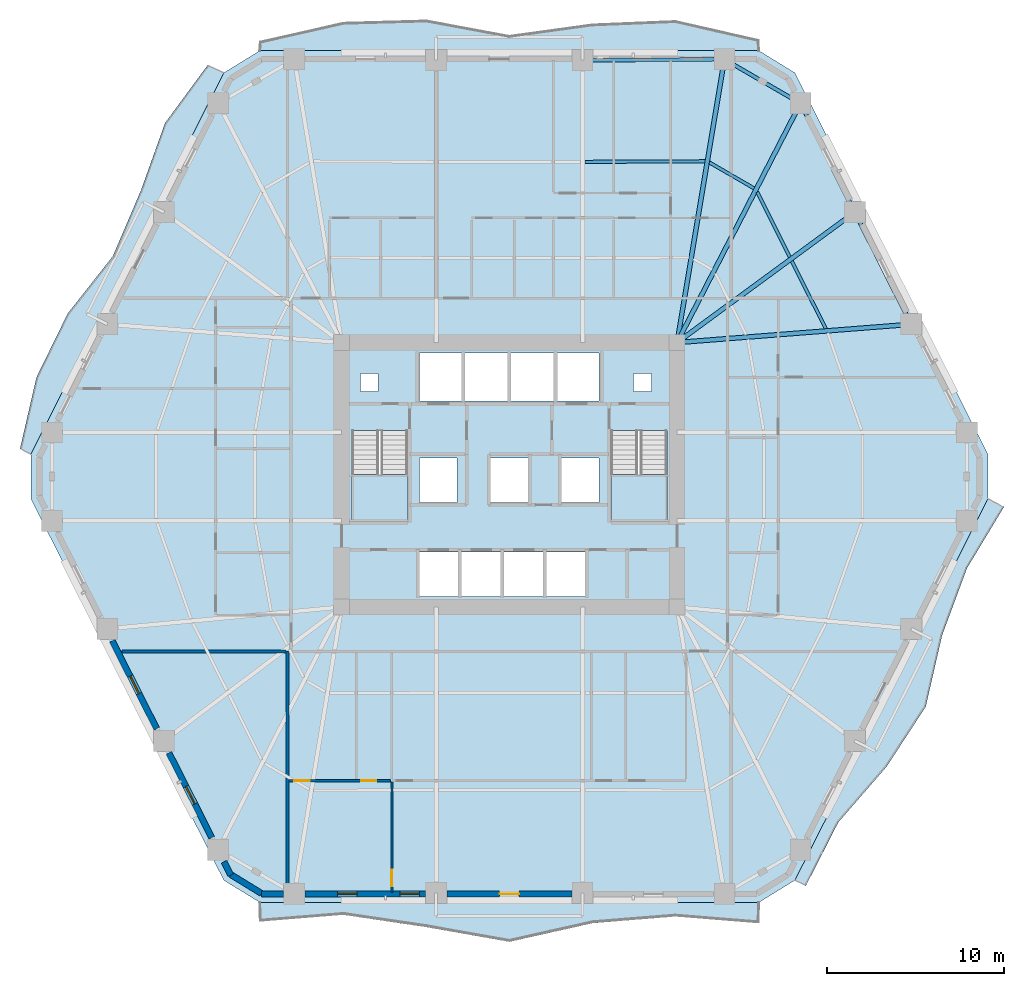
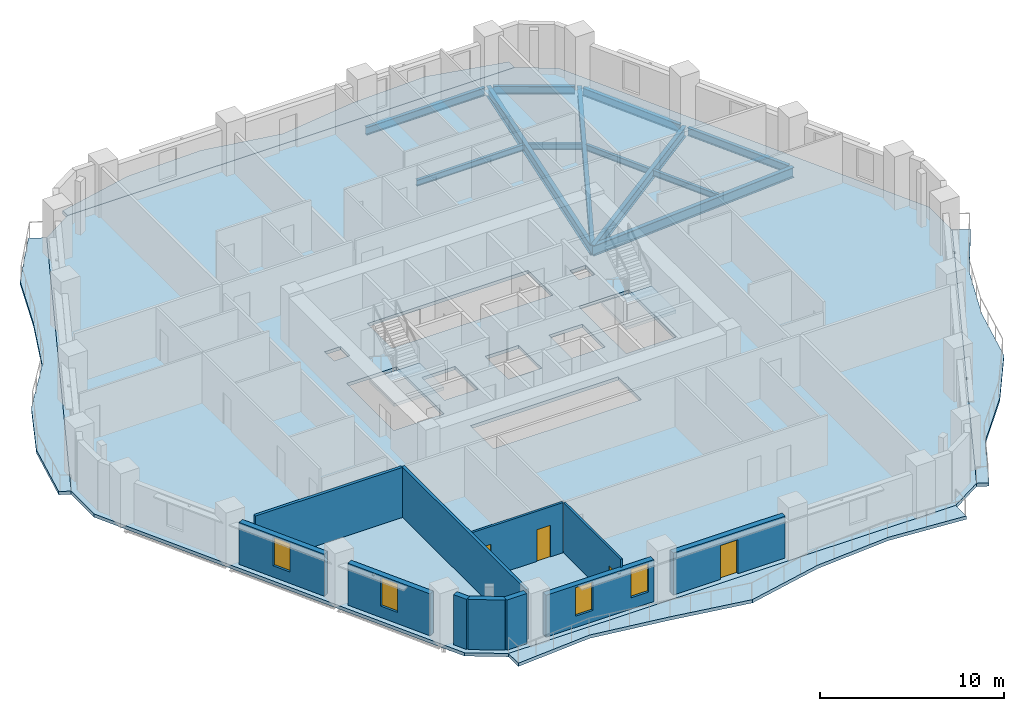
# One storey, part 3 of 13: 12 beams, 11 walls, 7 slabs, 4 doors, 4 windows, 8 openings, 2 elements without a shape of their own.
"""IFC4 building model written with IfcOpenShell, lengths in metres."""

from ifc_helpers import new_model, si_unit, direction, frame, frame_2d, origin, origin_2d, place, context, subcontext, project, spatial, polyline, rectangle, i_section, outline, extrude, material, layer, layer_set, material_profile, profile_set, type_object, element, fill, aggregate, save


model = new_model("IFC4")

# Units and contexts
model_context = context("Model", 3, precision=1e-05, world=origin(), true_north=direction((0.0, 1.0)))
body_context = subcontext(model_context, "Body", "Model", "MODEL_VIEW")
ifc_project = project(units=[si_unit("LENGTHUNIT", "METRE"), si_unit("AREAUNIT", "SQUARE_METRE"), si_unit("VOLUMEUNIT", "CUBIC_METRE"), si_unit("PLANEANGLEUNIT", "RADIAN"), si_unit("MASSUNIT", "GRAM", prefix="KILO")], contexts=[model_context])

# Site, building, storey
site_placement = place(None, origin())
site = spatial("IfcSite", under=ifc_project, at=site_placement, CompositionType="ELEMENT")
building_placement = place(site_placement, origin())
building = spatial("IfcBuilding", under=site, at=building_placement, Name="Cinnabar Lancet Tower", CompositionType="ELEMENT")
storey_placement = place(building_placement, frame((0.0, 0.0, 49.75)))
storey = spatial("IfcBuildingStorey", under=building, at=storey_placement, Name="L12", CompositionType="ELEMENT", Elevation=49.75)

# Beams
ifc_material_1 = material(Name="Structural steel S355", Category="steel")
ifc_material_profile_1 = material_profile(ifc_material_1, i_section(OverallWidth=0.177978515625, OverallDepth=0.406494140625, WebThickness=0.0078125, FlangeThickness=0.0126953125, FilletRadius=0.01025390625, at=origin_2d()), Name="UKB 406x178x60")
ifc_profile_set_1 = profile_set([ifc_material_profile_1], Name="Structural steel S355")
beam_type_1 = type_object("IfcBeamType", Name="STR-BM-JST-406", PredefinedType="JOIST", material=ifc_profile_set_1)
beam_1_placement = place(storey_placement, frame((50.23388671875, 34.132080078125, -0.423095703125), z_axis=(-0.450856172856, 0.8925966118, 0.0), x_axis=(-0.8925966118, -0.450856172856, 0.0)))
element("IfcBeam", 1, at=beam_1_placement, inside=storey, type_object=beam_type_1, Name="L12 Secondary Floor Joist 27", PredefinedType="JOIST", context=body_context, shape_type="SweptSolid", body=[
    extrude(i_section(OverallWidth=0.177978515625, OverallDepth=0.406494140625, WebThickness=0.0078125, FlangeThickness=0.0126953125, FilletRadius=0.01025390625, at=origin_2d()), origin(), (0.0, 0.0, 1.0), 4.25830078125),
])
beam_2_placement = place(storey_placement, frame((48.197998046875, 38.1630859375, -0.423095703125), z_axis=(-0.445641523434, 0.895211501597, 0.0), x_axis=(-0.895211501597, -0.445641523434, 0.0)))
element("IfcBeam", 2, at=beam_2_placement, inside=storey, type_object=beam_type_1, Name="L12 Secondary Floor Joist 29", PredefinedType="JOIST", context=body_context, shape_type="SweptSolid", body=[
    extrude(i_section(OverallWidth=0.177978515625, OverallDepth=0.406494140625, WebThickness=0.0078125, FlangeThickness=0.0126953125, FilletRadius=0.01025390625, at=origin_2d()), origin(), (0.0, 0.0, 1.0), 4.1015625),
])
beam_3_placement = place(storey_placement, frame((46.18994140625, 42.0390625, -0.423095703125), z_axis=(-0.865209684948, 0.501410212373, 0.0), x_axis=(-0.501410212373, -0.865209684948, 0.0)))
element("IfcBeam", 3, at=beam_3_placement, inside=storey, type_object=beam_type_1, Name="L12 Secondary Floor Joist 31", PredefinedType="JOIST", context=body_context, shape_type="SweptSolid", body=[
    extrude(i_section(OverallWidth=0.177978515625, OverallDepth=0.406494140625, WebThickness=0.0078125, FlangeThickness=0.0126953125, FilletRadius=0.01025390625, at=origin_2d()), origin(), (0.0, 0.0, 1.0), 2.90771484375),
])
beam_4_placement = place(storey_placement, frame((43.427978515625, 43.56396484375, -0.423095703125), z_axis=(-0.999988871223, -0.004717778015, 0.0), x_axis=(0.004717778015, -0.999988871223, 0.0)))
element("IfcBeam", 4, at=beam_4_placement, inside=storey, type_object=beam_type_1, Name="L12 Secondary Floor Joist 33", PredefinedType="JOIST", context=body_context, shape_type="SweptSolid", body=[
    extrude(i_section(OverallWidth=0.177978515625, OverallDepth=0.406494140625, WebThickness=0.0078125, FlangeThickness=0.0126953125, FilletRadius=0.01025390625, at=origin_2d()), origin(), (0.0, 0.0, 1.0), 6.779052734375),
])
ifc_material_2 = material(Name="Structural steel S355", Category="steel")
ifc_material_profile_2 = material_profile(ifc_material_2, i_section(OverallWidth=0.209228515625, OverallDepth=0.533203125, WebThickness=0.010009765625, FlangeThickness=0.015625, FilletRadius=0.0126953125, at=origin_2d()), Name="UKB 533x210x92")
ifc_profile_set_2 = profile_set([ifc_material_profile_2], Name="Structural steel S355")
beam_type_2 = type_object("IfcBeamType", Name="STR-BM-SPN-533", PredefinedType="SPANDREL", material=ifc_profile_set_2)
beam_5_placement = place(storey_placement, frame((54.93310546875, 34.60302734375, -0.487060546875), z_axis=(-0.450703143926, 0.892673891214, 0.0), x_axis=(-0.892673891214, -0.450703143926, 0.0)))
element("IfcBeam", 5, at=beam_5_placement, inside=storey, type_object=beam_type_2, Name="L12 Perimeter Spandrel 10", PredefinedType="SPANDREL", context=body_context, shape_type="SweptSolid", body=[
    extrude(i_section(OverallWidth=0.209228515625, OverallDepth=0.533203125, WebThickness=0.010009765625, FlangeThickness=0.015625, FilletRadius=0.0126953125, at=origin_2d()), origin(), (0.0, 0.0, 1.0), 6.570068359375),
])
beam_6_placement = place(storey_placement, frame((51.748046875, 40.9150390625, -0.487060546875), z_axis=(-0.445953050023, 0.89505635419, 0.0), x_axis=(-0.89505635419, -0.445953050023, 0.0)))
element("IfcBeam", 6, at=beam_6_placement, inside=storey, type_object=beam_type_2, Name="L12 Perimeter Spandrel 11", PredefinedType="SPANDREL", context=body_context, shape_type="SweptSolid", body=[
    extrude(i_section(OverallWidth=0.209228515625, OverallDepth=0.533203125, WebThickness=0.010009765625, FlangeThickness=0.015625, FilletRadius=0.0126953125, at=origin_2d()), origin(), (0.0, 0.0, 1.0), 6.35498046875),
])
beam_7_placement = place(storey_placement, frame((48.5869140625, 46.951904296875, -0.487060546875), z_axis=(-0.865147238596, 0.501517951374, 0.0), x_axis=(-0.501517951374, -0.865147238596, 0.0)))
element("IfcBeam", 7, at=beam_7_placement, inside=storey, type_object=beam_type_2, Name="L12 Perimeter Spandrel 12", PredefinedType="SPANDREL", context=body_context, shape_type="SweptSolid", body=[
    extrude(i_section(OverallWidth=0.209228515625, OverallDepth=0.533203125, WebThickness=0.010009765625, FlangeThickness=0.015625, FilletRadius=0.0126953125, at=origin_2d()), origin(), (0.0, 0.0, 1.0), 4.454833984375),
])
beam_8_placement = place(storey_placement, frame((44.26708984375, 49.30908203125, -0.487060546875), z_axis=(-0.99997856757, -0.006547090947, 0.0), x_axis=(0.006547090947, -0.99997856757, 0.0)))
element("IfcBeam", 8, at=beam_8_placement, inside=storey, type_object=beam_type_2, Name="L12 Perimeter Spandrel 13", PredefinedType="SPANDREL", context=body_context, shape_type="SweptSolid", body=[
    extrude(i_section(OverallWidth=0.209228515625, OverallDepth=0.533203125, WebThickness=0.010009765625, FlangeThickness=0.015625, FilletRadius=0.0126953125, at=origin_2d()), origin(), (0.0, 0.0, 1.0), 7.495361328125),
])
ifc_material_3 = material(Name="Structural steel S355", Category="steel")
ifc_material_profile_3 = material_profile(ifc_material_3, i_section(OverallWidth=0.253662109375, OverallDepth=0.68359375, WebThickness=0.012451171875, FlangeThickness=0.01904296875, FilletRadius=0.01513671875, at=origin_2d()), Name="UKB 686x254x140")
ifc_profile_set_3 = profile_set([ifc_material_profile_3], Name="Structural steel S355")
beam_type_3 = type_object("IfcBeamType", Name="STR-BM-UKB686-140", PredefinedType="BEAM", material=ifc_profile_set_3)
beam_9_placement = place(storey_placement, frame((51.85888671875, 40.69091796875, -0.56201171875), z_axis=(-0.80636497312, -0.591418236213, 0.0), x_axis=(0.591418236213, -0.80636497312, 0.0)))
element("IfcBeam", 9, at=beam_9_placement, inside=storey, type_object=beam_type_3, Name="L12 Corner Collector Girder 3", PredefinedType="BEAM", context=body_context, shape_type="SweptSolid", body=[
    extrude(i_section(OverallWidth=0.253662109375, OverallDepth=0.68359375, WebThickness=0.012451171875, FlangeThickness=0.01904296875, FilletRadius=0.01513671875, at=origin_2d()), origin(), (0.0, 0.0, 1.0), 12.412353515625),
])
beam_10_placement = place(storey_placement, frame((55.0458984375, 34.3798828125, -0.56201171875), z_axis=(-0.99696880683, -0.077802302076, 0.0), x_axis=(0.077802302076, -0.99696880683, 0.0)))
element("IfcBeam", 10, at=beam_10_placement, inside=storey, type_object=beam_type_3, Name="L12 Primary Floor Girder 10", PredefinedType="BEAM", context=body_context, shape_type="SweptSolid", body=[
    extrude(i_section(OverallWidth=0.253662109375, OverallDepth=0.68359375, WebThickness=0.012451171875, FlangeThickness=0.01904296875, FilletRadius=0.01513671875, at=origin_2d()), origin(), (0.0, 0.0, 1.0), 13.23583984375),
])
beam_11_placement = place(storey_placement, frame((48.802978515625, 46.826904296875, -0.56201171875), z_axis=(-0.458492410387, -0.888698323177, 0.0), x_axis=(0.888698323177, -0.458492410387, 0.0)))
element("IfcBeam", 11, at=beam_11_placement, inside=storey, type_object=beam_type_3, Name="L12 Primary Floor Girder 12", PredefinedType="BEAM", context=body_context, shape_type="SweptSolid", body=[
    extrude(i_section(OverallWidth=0.253662109375, OverallDepth=0.68359375, WebThickness=0.012451171875, FlangeThickness=0.01904296875, FilletRadius=0.01513671875, at=origin_2d()), origin(), (0.0, 0.0, 1.0), 15.16455078125),
])
beam_12_placement = place(storey_placement, frame((44.51708984375, 49.31103515625, -0.56201171875), z_axis=(-0.164809990854, -0.986325335229, 0.0), x_axis=(0.986325335229, -0.164809990854, 0.0)))
element("IfcBeam", 12, at=beam_12_placement, inside=storey, type_object=beam_type_3, Name="L12 Primary Floor Girder 13", PredefinedType="BEAM", context=body_context, shape_type="SweptSolid", body=[
    extrude(i_section(OverallWidth=0.253662109375, OverallDepth=0.68359375, WebThickness=0.012451171875, FlangeThickness=0.01904296875, FilletRadius=0.01513671875, at=origin_2d()), origin(), (0.0, 0.0, 1.0), 16.18212890625),
])

# Stair, slab
ifc_material_4 = material(Name="Concrete C40/50", Category="concrete")
stair_type = type_object("IfcStairType", Name="ST-CORE", PredefinedType="HALF_TURN_STAIR", material=ifc_material_4)
stair_1_placement = place(storey_placement, origin())
stair_1 = element("IfcStair", 13, at=stair_1_placement, inside=storey, type_object=stair_type, Name="L12 ST-1", PredefinedType="HALF_TURN_STAIR")
ifc_material_5 = material(Name="Concrete C40/50", Category="concrete")
ifc_layer_1 = layer(ifc_material_5, 0.199951171875)
ifc_layer_set_1 = layer_set([ifc_layer_1], Name="Concrete C40/50")
slab_type_1 = type_object("IfcSlabType", Name="LANDING-CORE", PredefinedType="LANDING", material=ifc_layer_set_1)
slab_1_placement = place(storey_placement, frame((0.0, 0.0, 1.574951171875)))
slab_1 = element("IfcSlab", 14, at=slab_1_placement, type_object=slab_type_1, Name="ST-1 landing 1", PredefinedType="LANDING", context=body_context, shape_type="SweptSolid", body=[
    extrude(outline(polyline([(23.52490234375, 25.925048828125), (23.52490234375, 23.25), (26.675048828125, 23.25), (26.675048828125, 25.925048828125), (23.52490234375, 25.925048828125)])), origin(), (0.0, 0.0, 1.0), 0.199951171875),
])
aggregate(stair_1, [slab_1])

stair_2_placement = place(storey_placement, origin())
stair_2 = element("IfcStair", 15, at=stair_2_placement, inside=storey, type_object=stair_type, Name="L12 ST-2", PredefinedType="HALF_TURN_STAIR")
slab_2_placement = place(storey_placement, frame((0.0, 0.0, 1.574951171875)))
slab_2 = element("IfcSlab", 16, at=slab_2_placement, type_object=slab_type_1, Name="ST-2 landing 1", PredefinedType="LANDING", context=body_context, shape_type="SweptSolid", body=[
    extrude(outline(polyline([(38.125, 25.925048828125), (38.125, 23.25), (41.27490234375, 23.25), (41.27490234375, 25.925048828125), (38.125, 25.925048828125)])), origin(), (0.0, 0.0, 1.0), 0.199951171875),
])
aggregate(stair_2, [slab_2])

# Slabs
ifc_material_6 = material(Name="Concrete C40/50", Category="concrete")
ifc_layer_2 = layer(ifc_material_6, 0.219970703125)
ifc_layer_set_2 = layer_set([ifc_layer_2], Name="Concrete C40/50")
slab_type_2 = type_object("IfcSlabType", Name="STR-SLB-FLR-220", PredefinedType="FLOOR", material=ifc_layer_set_2)
slab_3_placement = place(storey_placement, frame((0.0, 0.0, -0.219970703125)))
element("IfcSlab", 17, at=slab_3_placement, inside=storey, type_object=slab_type_2, Name="L12 Structural Floor Slab", PredefinedType="FLOOR", context=body_context, shape_type="SweptSolid", body=[
    extrude(outline(polyline([(16.31201171875, 3.049072265625), (18.343994140625, 1.800048828125), (46.4560546875, 1.800048828125), (48.488037109375, 3.049072265625), (59.367919921875, 24.551025390625), (59.367919921875, 27.049072265625), (48.488037109375, 48.551025390625), (46.4560546875, 49.800048828125), (18.343994140625, 49.800048828125), (16.31201171875, 48.551025390625), (5.431884765625, 27.049072265625), (5.431884765625, 24.551025390625), (16.31201171875, 3.049072265625)]), holes=[polyline([(23.52490234375, 23.25), (26.675048828125, 23.25), (26.675048828125, 28.3994140625), (23.52490234375, 28.3994140625), (23.52490234375, 23.25)]), polyline([(38.125, 23.25), (41.27490234375, 23.25), (41.27490234375, 28.3994140625), (38.125, 28.3994140625), (38.125, 23.25)]), polyline([(27.35009765625, 30.050048828125), (37.449951171875, 30.050048828125), (37.449951171875, 32.75), (27.35009765625, 32.75), (27.35009765625, 30.050048828125)]), polyline([(27.35009765625, 19.050048828125), (36.64990234375, 19.050048828125), (36.64990234375, 21.550048828125), (27.35009765625, 21.550048828125), (27.35009765625, 19.050048828125)]), polyline([(27.35009765625, 24.35009765625), (29.449951171875, 24.35009765625), (29.449951171875, 26.85009765625), (27.35009765625, 26.85009765625), (27.35009765625, 24.35009765625)]), polyline([(35.35009765625, 24.35009765625), (37.449951171875, 24.35009765625), (37.449951171875, 26.85009765625), (35.35009765625, 26.85009765625), (35.35009765625, 24.35009765625)]), polyline([(31.35009765625, 24.35009765625), (33.449951171875, 24.35009765625), (33.449951171875, 26.85009765625), (31.35009765625, 26.85009765625), (31.35009765625, 24.35009765625)]), polyline([(24.0, 30.60009765625), (25.0, 30.60009765625), (25.0, 31.60009765625), (24.0, 31.60009765625), (24.0, 30.60009765625)]), polyline([(39.39990234375, 30.60009765625), (40.39990234375, 30.60009765625), (40.39990234375, 31.60009765625), (39.39990234375, 31.60009765625), (39.39990234375, 30.60009765625)])]), origin(), (0.0, 0.0, 1.0), 0.219970703125),
])
ifc_material_7 = material(Name="Concrete C45/55", Category="concrete")
ifc_layer_3 = layer(ifc_material_7, 0.219970703125)
ifc_layer_set_3 = layer_set([ifc_layer_3], Name="Concrete C45/55")
slab_type_3 = type_object("IfcSlabType", Name="STR-SLB-WAV-220", PredefinedType="FLOOR", material=ifc_layer_set_3)
slab_4_placement = place(storey_placement, frame((0.0, 0.0, -0.219970703125)))
element("IfcSlab", 18, at=slab_4_placement, inside=storey, type_object=slab_type_3, Name="L12 Face 1 Undulating Wave Balcony Slab", PredefinedType="FLOOR", context=body_context, shape_type="SweptSolid", body=[
    extrude(outline(polyline([(18.343994140625, 1.800048828125), (18.343994140625, 0.73095703125), (23.029052734375, 1.10693359375), (27.715087890625, 0.412109375), (32.39990234375, -0.416015625), (37.0849609375, 0.634033203125), (41.77099609375, 1.010009765625), (46.4560546875, 0.637939453125), (46.4560546875, 1.800048828125), (18.343994140625, 1.800048828125)])), origin(), (0.0, 0.0, 1.0), 0.219970703125),
])
slab_5_placement = place(storey_placement, frame((0.0, 0.0, -0.219970703125)))
element("IfcSlab", 19, at=slab_5_placement, inside=storey, type_object=slab_type_3, Name="L12 Face 2 Undulating Wave Balcony Slab", PredefinedType="FLOOR", context=body_context, shape_type="SweptSolid", body=[
    extrude(outline(polyline([(48.488037109375, 3.049072265625), (49.10595703125, 2.736083984375), (50.931884765625, 6.31396484375), (53.64697265625, 9.44091796875), (55.85791015625, 12.823974609375), (56.782958984375, 16.85595703125), (58.18994140625, 20.64599609375), (60.27197265625, 24.093017578125), (59.367919921875, 24.551025390625), (48.488037109375, 3.049072265625)])), origin(), (0.0, 0.0, 1.0), 0.219970703125),
])
slab_6_placement = place(storey_placement, frame((0.0, 0.0, -0.219970703125)))
element("IfcSlab", 20, at=slab_6_placement, inside=storey, type_object=slab_type_3, Name="L12 Face 4 Undulating Wave Balcony Slab", PredefinedType="FLOOR", context=body_context, shape_type="SweptSolid", body=[
    extrude(outline(polyline([(46.4560546875, 49.800048828125), (46.4560546875, 50.424072265625), (41.77099609375, 51.491943359375), (37.0849609375, 51.303955078125), (32.39990234375, 50.660888671875), (27.715087890625, 51.52587890625), (23.029052734375, 51.39501953125), (18.343994140625, 50.330078125), (18.343994140625, 49.800048828125), (46.4560546875, 49.800048828125)])), origin(), (0.0, 0.0, 1.0), 0.219970703125),
])
slab_7_placement = place(storey_placement, frame((0.0, 0.0, -0.219970703125)))
element("IfcSlab", 21, at=slab_7_placement, inside=storey, type_object=slab_type_3, Name="L12 Face 5 Undulating Wave Balcony Slab", PredefinedType="FLOOR", context=body_context, shape_type="SweptSolid", body=[
    extrude(outline(polyline([(16.31201171875, 48.551025390625), (15.4189453125, 49.0029296875), (13.0009765625, 45.72509765625), (11.636962890625, 41.9140625), (10.055908203125, 38.212890625), (7.52001953125, 34.9951171875), (5.7529296875, 31.387939453125), (4.825927734375, 27.35595703125), (5.431884765625, 27.049072265625), (16.31201171875, 48.551025390625)])), origin(), (0.0, 0.0, 1.0), 0.219970703125),
])

# Walls
ifc_material_8 = material(Name="Fire-rated twin-frame acoustic drywall", Category="gypsum")
ifc_layer_4 = layer(ifc_material_8, 0.179931640625)
ifc_layer_set_4 = layer_set([ifc_layer_4], Name="Fire-rated twin-frame acoustic drywall")
wall_type_1 = type_object("IfcWallType", Name="ARC-WL-PARTY-180", PredefinedType="PARTITIONING", material=ifc_layer_set_4)
wall_1_placement = place(storey_placement, frame((19.89990234375, 2.455078125, 0.0), z_axis=(0.0, 0.0, 1.0), x_axis=(0.0, 1.0, 0.0)))
element("IfcWall", 22, at=wall_1_placement, inside=storey, type_object=wall_type_1, Name="PW-L12-SPTY-199", PredefinedType="PARTITIONING", context=body_context, shape_type="SweptSolid", body=[
    extrude(rectangle(XDim=13.494873046875, YDim=0.179931640625, at=frame_2d((6.74755859375, 0.0))), origin(), (0.0, 0.0, 1.0), 3.330078125),
])
wall_2_placement = place(storey_placement, frame((10.56396484375, 15.949951171875, 0.0), z_axis=(0.0, 0.0, 1.0), x_axis=(1.0, 0.0, 0.0)))
element("IfcWall", 23, at=wall_2_placement, inside=storey, type_object=wall_type_1, Name="PW-L12-WSB", PredefinedType="PARTITIONING", context=body_context, shape_type="SweptSolid", body=[
    extrude(rectangle(XDim=9.240966796875, YDim=0.179931640625, at=frame_2d((4.62060546875, 0.0))), origin(), (0.0, 0.0, 1.0), 3.330078125),
])

# Wall, opening, door
ifc_material_9 = material(Name="Gypsum plasterboard stud partition", Category="gypsum")
ifc_layer_5 = layer(ifc_material_9, 0.125)
ifc_layer_set_5 = layer_set([ifc_layer_5], Name="Gypsum plasterboard stud partition")
wall_type_2 = type_object("IfcWallType", Name="ARC-WL-UNIT-125", PredefinedType="PARTITIONING", material=ifc_layer_set_5)
wall_3_placement = place(storey_placement, frame((25.780029296875, 2.364990234375, 0.0), z_axis=(0.0, 0.0, 1.0), x_axis=(0.0, 1.0, 0.0)))
wall_3 = element("IfcWall", 24, at=wall_3_placement, inside=storey, type_object=wall_type_2, Name="UW-L12-S01-MBW", PredefinedType="PARTITIONING", context=body_context, shape_type="SweptSolid", body=[
    extrude(rectangle(XDim=6.222900390625, YDim=0.125, at=frame_2d((3.111328125, 0.0))), origin(), (0.0, 0.0, 1.0), 3.330078125),
])
opening_1_placement = place(wall_3_placement, frame((0.35009765625, 0.0, 0.0)))
opening_1 = element("IfcOpeningElement", 25, at=opening_1_placement, cuts=wall_3, Name="Opening RD-01", PredefinedType="OPENING", context=body_context, shape_type="SweptSolid", body=[
    extrude(rectangle(XDim=0.919921875, YDim=2.14990234375, at=frame_2d((0.4599609375, 1.074951171875))), frame((0.0, 0.072509765625, 0.0), z_axis=(0.0, -1.0, 0.0), x_axis=(1.0, 0.0, 0.0)), (0.0, 0.0, 1.0), 0.14501953125),
])
ifc_material_10 = material(Name="Engineered timber bedroom door", Category="wood")
door_type_1 = type_object("IfcDoorType", Name="ARC-DR-ROOM", OperationType="NOTDEFINED", PredefinedType="DOOR", material=ifc_material_10)
door_1_placement = place(opening_1_placement, origin())
door_1 = element("IfcDoor", 26, at=door_1_placement, inside=storey, type_object=door_type_1, Name="DR-L12-S01-MBD", OperationType="SINGLE_SWING_LEFT", OverallHeight=2.14990234375, OverallWidth=0.919921875, PredefinedType="DOOR", context=body_context, shape_type="SweptSolid", body=[
    extrude(rectangle(XDim=0.919921875, YDim=2.14990234375, at=frame_2d((0.4599609375, 1.074951171875))), frame((0.0, 0.02490234375, 0.0), z_axis=(0.0, -1.0, 0.0), x_axis=(1.0, 0.0, 0.0)), (0.0, 0.0, 1.0), 0.050048828125),
])
fill(opening_1, door_1)

# Wall, openings, doors
ifc_material_11 = material(Name="Moisture-resistant cement-board plumbing wall", Category="masonry")
ifc_layer_6 = layer(ifc_material_11, 0.139892578125)
ifc_layer_set_6 = layer_set([ifc_layer_6], Name="Moisture-resistant cement-board plumbing wall")
wall_type_3 = type_object("IfcWallType", Name="ARC-WL-WET-140", PredefinedType="PLUMBINGWALL", material=ifc_layer_set_6)
wall_4_placement = place(storey_placement, frame((19.9951171875, 8.6630859375, 0.0), z_axis=(0.0, 0.0, 1.0), x_axis=(1.0, 0.0, 0.0)))
wall_4 = element("IfcWall", 27, at=wall_4_placement, inside=storey, type_object=wall_type_3, Name="UW-L12-S01-SPM", PredefinedType="PLUMBINGWALL", context=body_context, shape_type="SweptSolid", body=[
    extrude(rectangle(XDim=5.7099609375, YDim=0.139892578125, at=frame_2d((2.85498046875, 0.0))), origin(), (0.0, 0.0, 1.0), 3.330078125),
])
opening_2_placement = place(wall_4_placement, frame((0.280029296875, 0.0, 0.0)))
opening_2 = element("IfcOpeningElement", 28, at=opening_2_placement, cuts=wall_4, Name="Opening RD-02", PredefinedType="OPENING", context=body_context, shape_type="SweptSolid", body=[
    extrude(rectangle(XDim=0.8798828125, YDim=2.14990234375, at=frame_2d((0.43994140625, 1.074951171875))), frame((0.0, 0.079833984375, 0.0), z_axis=(0.0, -1.0, 0.0), x_axis=(1.0, 0.0, 0.0)), (0.0, 0.0, 1.0), 0.159912109375),
])
opening_3_placement = place(wall_4_placement, frame((4.053955078125, 0.0, 0.0)))
opening_3 = element("IfcOpeningElement", 29, at=opening_3_placement, cuts=wall_4, Name="Opening BD-01", PredefinedType="OPENING", context=body_context, shape_type="SweptSolid", body=[
    extrude(rectangle(XDim=0.860107421875, YDim=2.10009765625, at=frame_2d((0.43017578125, 1.050048828125))), frame((0.0, 0.079833984375, 0.0), z_axis=(0.0, -1.0, 0.0), x_axis=(1.0, 0.0, 0.0)), (0.0, 0.0, 1.0), 0.159912109375),
])
ifc_material_12 = material(Name="Moisture-resistant timber bathroom door", Category="wood")
door_type_2 = type_object("IfcDoorType", Name="ARC-DR-BATH", OperationType="NOTDEFINED", PredefinedType="DOOR", material=ifc_material_12)
door_2_placement = place(opening_3_placement, origin())
door_2 = element("IfcDoor", 30, at=door_2_placement, inside=storey, type_object=door_type_2, Name="DR-L12-S01-ENS", OperationType="SINGLE_SWING_LEFT", OverallHeight=2.10009765625, OverallWidth=0.860107421875, PredefinedType="DOOR", context=body_context, shape_type="SweptSolid", body=[
    extrude(rectangle(XDim=0.860107421875, YDim=2.10009765625, at=frame_2d((0.43017578125, 1.050048828125))), frame((0.0, 0.02490234375, 0.0), z_axis=(0.0, -1.0, 0.0), x_axis=(1.0, 0.0, 0.0)), (0.0, 0.0, 1.0), 0.050048828125),
])
fill(opening_3, door_2)
ifc_material_13 = material(Name="Engineered timber study door", Category="wood")
door_type_3 = type_object("IfcDoorType", Name="ARC-DR-STUDY", OperationType="NOTDEFINED", PredefinedType="DOOR", material=ifc_material_13)
door_3_placement = place(opening_2_placement, origin())
door_3 = element("IfcDoor", 31, at=door_3_placement, inside=storey, type_object=door_type_3, Name="DR-L12-S01-ENS-WDR", OperationType="SINGLE_SWING_RIGHT", OverallHeight=2.14990234375, OverallWidth=0.8798828125, PredefinedType="DOOR", context=body_context, shape_type="SweptSolid", body=[
    extrude(rectangle(XDim=0.8798828125, YDim=2.14990234375, at=frame_2d((0.43994140625, 1.074951171875))), frame((0.0, 0.02490234375, 0.0), z_axis=(0.0, -1.0, 0.0), x_axis=(1.0, 0.0, 0.0)), (0.0, 0.0, 1.0), 0.050048828125),
])
fill(opening_2, door_3)

# Walls
ifc_material_14 = material(Name="Cinnabar red clay brick", Category="masonry")
ifc_layer_7 = layer(ifc_material_14, 0.340087890625)
ifc_layer_set_7 = layer_set([ifc_layer_7], Name="Cinnabar red clay brick")
wall_type_4 = type_object("IfcWallType", Name="ENV-WL-BRK-RED-340", PredefinedType="STANDARD", material=ifc_layer_set_7)
wall_5_placement = place(storey_placement, frame((16.719970703125, 3.362060546875, 0.0), z_axis=(0.0, 0.0, 1.0), x_axis=(0.851816122478, -0.523840904748, 0.0)))
element("IfcWall", 32, at=wall_5_placement, inside=storey, type_object=wall_type_4, Name="L12 Chamfered Corner Brick Pier 1.1", PredefinedType="STANDARD", context=body_context, shape_type="SweptSolid", body=[
    extrude(rectangle(XDim=2.01806640625, YDim=0.340087890625, at=frame_2d((1.009033203125, 0.0))), origin(), (0.0, 0.0, 1.0), 3.330078125),
])
wall_6_placement = place(storey_placement, frame((18.43408203125, 2.280029296875, 0.0), z_axis=(0.0, 0.0, 1.0), x_axis=(1.0, 0.0, 0.0)))
element("IfcWall", 33, at=wall_6_placement, inside=storey, type_object=wall_type_4, Name="L12 Face 1 Masonry Bay Wall 1", PredefinedType="STANDARD", context=body_context, shape_type="SweptSolid", body=[
    extrude(rectangle(XDim=1.244873046875, YDim=0.340087890625, at=frame_2d((0.62255859375, 0.0))), origin(), (0.0, 0.0, 1.0), 3.330078125),
])

# Wall, openings, windows
wall_7_placement = place(storey_placement, frame((20.886962890625, 2.280029296875, 0.0), z_axis=(0.0, 0.0, 1.0), x_axis=(1.0, 0.0, 0.0)))
wall_7 = element("IfcWall", 34, at=wall_7_placement, inside=storey, type_object=wall_type_4, Name="L12 Face 1 Masonry Bay Wall 2", PredefinedType="STANDARD", context=body_context, shape_type="SweptSolid", body=[
    extrude(rectangle(XDim=6.787109375, YDim=0.340087890625, at=frame_2d((3.3935546875, 0.0))), origin(), (0.0, 0.0, 1.0), 2.787109375),
])
opening_4_placement = place(wall_7_placement, frame((1.840087890625, 0.0, 0.75)))
opening_4 = element("IfcOpeningElement", 35, at=opening_4_placement, cuts=wall_7, Name="Opening WN-04", PredefinedType="OPENING", context=body_context, shape_type="SweptSolid", body=[
    extrude(rectangle(XDim=1.10009765625, YDim=1.886962890625, at=frame_2d((0.550048828125, 0.943359375))), frame((0.0, 0.179931640625, 0.0), z_axis=(0.0, -1.0, 0.0), x_axis=(1.0, 0.0, 0.0)), (0.0, 0.0, 1.0), 0.360107421875),
])
opening_5_placement = place(wall_7_placement, frame((5.345947265625, 0.0, 0.75)))
opening_5 = element("IfcOpeningElement", 36, at=opening_5_placement, cuts=wall_7, Name="Opening WN-04", PredefinedType="OPENING", context=body_context, shape_type="SweptSolid", body=[
    extrude(rectangle(XDim=1.10009765625, YDim=1.886962890625, at=frame_2d((0.550048828125, 0.943359375))), frame((0.0, 0.179931640625, 0.0), z_axis=(0.0, -1.0, 0.0), x_axis=(1.0, 0.0, 0.0)), (0.0, 0.0, 1.0), 0.360107421875),
])
ifc_material_15 = material(Name="Thermally broken bronze-anodized aluminium tall lancet window", Category="aluminium")
window_type = type_object("IfcWindowType", Name="ENV-WN-LANCET-1100", PartitioningType="SINGLE_PANEL", PredefinedType="WINDOW", material=ifc_material_15)
window_1_placement = place(opening_4_placement, origin())
window_1 = element("IfcWindow", 37, at=window_1_placement, inside=storey, type_object=window_type, Name="L12 Face 1 Gothic Lancet Window 2", OverallHeight=1.886962890625, OverallWidth=1.10009765625, PartitioningType="SINGLE_PANEL", PredefinedType="WINDOW", context=body_context, shape_type="SweptSolid", body=[
    extrude(rectangle(XDim=1.10009765625, YDim=1.886962890625, at=frame_2d((0.550048828125, 0.943359375))), frame((0.0, 0.030029296875, 0.0), z_axis=(0.0, -1.0, 0.0), x_axis=(1.0, 0.0, 0.0)), (0.0, 0.0, 1.0), 0.06005859375),
])
fill(opening_4, window_1)
window_2_placement = place(opening_5_placement, origin())
window_2 = element("IfcWindow", 38, at=window_2_placement, inside=storey, type_object=window_type, Name="L12 Split-Bay Gothic Lancet Window 24", OverallHeight=1.886962890625, OverallWidth=1.10009765625, PartitioningType="SINGLE_PANEL", PredefinedType="WINDOW", context=body_context, shape_type="SweptSolid", body=[
    extrude(rectangle(XDim=1.10009765625, YDim=1.886962890625, at=frame_2d((0.550048828125, 0.943359375))), frame((0.0, 0.030029296875, 0.0), z_axis=(0.0, -1.0, 0.0), x_axis=(1.0, 0.0, 0.0)), (0.0, 0.0, 1.0), 0.06005859375),
])
fill(opening_5, window_2)

# Wall, opening, door
wall_8_placement = place(storey_placement, frame((28.882080078125, 2.280029296875, 0.0), z_axis=(0.0, 0.0, 1.0), x_axis=(1.0, 0.0, 0.0)))
wall_8 = element("IfcWall", 39, at=wall_8_placement, inside=storey, type_object=wall_type_4, Name="L12 Face 1 Masonry Bay Wall 3", PredefinedType="STANDARD", context=body_context, shape_type="SweptSolid", body=[
    extrude(rectangle(XDim=7.035888671875, YDim=0.340087890625, at=frame_2d((3.51806640625, 0.0))), origin(), (0.0, 0.0, 1.0), 2.787109375),
])
opening_6_placement = place(wall_8_placement, frame((2.968017578125, 0.0, 0.0)))
opening_6 = element("IfcOpeningElement", 40, at=opening_6_placement, cuts=wall_8, Name="Opening TD-01", PredefinedType="OPENING", context=body_context, shape_type="SweptSolid", body=[
    extrude(rectangle(XDim=1.10009765625, YDim=2.25, at=frame_2d((0.550048828125, 1.125))), frame((0.0, 0.179931640625, 0.0), z_axis=(0.0, -1.0, 0.0), x_axis=(1.0, 0.0, 0.0)), (0.0, 0.0, 1.0), 0.360107421875),
])
ifc_material_16 = material(Name="Thermally broken low-E glazed balcony terrace door", Category="wood")
door_type_4 = type_object("IfcDoorType", Name="ARC-DR-BALC", OperationType="NOTDEFINED", PredefinedType="DOOR", material=ifc_material_16)
door_4_placement = place(opening_6_placement, origin())
door_4 = element("IfcDoor", 41, at=door_4_placement, inside=storey, type_object=door_type_4, Name="L12 Face 1 Glazed Terrace Door", OperationType="SINGLE_SWING_LEFT", OverallHeight=2.25, OverallWidth=1.10009765625, PredefinedType="DOOR", context=body_context, shape_type="SweptSolid", body=[
    extrude(rectangle(XDim=1.10009765625, YDim=2.25, at=frame_2d((0.550048828125, 1.125))), frame((0.0, 0.02490234375, 0.0), z_axis=(0.0, -1.0, 0.0), x_axis=(1.0, 0.0, 0.0)), (0.0, 0.0, 1.0), 0.050048828125),
])
fill(opening_6, door_4)

# Wall, opening, window
wall_9_placement = place(storey_placement, frame((10.02392578125, 16.5390625, 0.0), z_axis=(0.0, 0.0, 1.0), x_axis=(0.451627137896, -0.892206774417, 0.0)))
wall_9 = element("IfcWall", 42, at=wall_9_placement, inside=storey, type_object=wall_type_4, Name="L12 Face 6 Masonry Bay Wall 3", PredefinedType="STANDARD", context=body_context, shape_type="SweptSolid", body=[
    extrude(rectangle(XDim=5.546875, YDim=0.340087890625, at=frame_2d((2.7734375, 0.0))), origin(), (0.0, 0.0, 1.0), 2.787109375),
])
opening_7_placement = place(wall_9_placement, frame((2.222900390625, 0.0, 0.75)))
opening_7 = element("IfcOpeningElement", 43, at=opening_7_placement, cuts=wall_9, Name="Opening WN-04", PredefinedType="OPENING", context=body_context, shape_type="SweptSolid", body=[
    extrude(rectangle(XDim=1.10009765625, YDim=1.886962890625, at=frame_2d((0.550048828125, 0.943359375))), frame((0.0, 0.179931640625, 0.0), z_axis=(0.0, -1.0, 0.0), x_axis=(1.0, 0.0, 0.0)), (0.0, 0.0, 1.0), 0.360107421875),
])
window_3_placement = place(opening_7_placement, origin())
window_3 = element("IfcWindow", 44, at=window_3_placement, inside=storey, type_object=window_type, Name="L12 Face 6 Gothic Lancet Window 3", OverallHeight=1.886962890625, OverallWidth=1.10009765625, PartitioningType="SINGLE_PANEL", PredefinedType="WINDOW", context=body_context, shape_type="SweptSolid", body=[
    extrude(rectangle(XDim=1.10009765625, YDim=1.886962890625, at=frame_2d((0.550048828125, 0.943359375))), frame((0.0, 0.030029296875, 0.0), z_axis=(0.0, -1.0, 0.0), x_axis=(1.0, 0.0, 0.0)), (0.0, 0.0, 1.0), 0.06005859375),
])
fill(opening_7, window_3)

wall_10_placement = place(storey_placement, frame((13.217041015625, 10.22802734375, 0.0), z_axis=(0.0, 0.0, 1.0), x_axis=(0.451697561555, -0.892171123095, 0.0)))
wall_10 = element("IfcWall", 45, at=wall_10_placement, inside=storey, type_object=wall_type_4, Name="L12 Face 6 Masonry Bay Wall 4", PredefinedType="STANDARD", context=body_context, shape_type="SweptSolid", body=[
    extrude(rectangle(XDim=5.350830078125, YDim=0.340087890625, at=frame_2d((2.67529296875, 0.0))), origin(), (0.0, 0.0, 1.0), 2.787109375),
])
opening_8_placement = place(wall_10_placement, frame((2.125, 0.0, 0.75)))
opening_8 = element("IfcOpeningElement", 46, at=opening_8_placement, cuts=wall_10, Name="Opening WN-04", PredefinedType="OPENING", context=body_context, shape_type="SweptSolid", body=[
    extrude(rectangle(XDim=1.10009765625, YDim=1.886962890625, at=frame_2d((0.550048828125, 0.943359375))), frame((0.0, 0.179931640625, 0.0), z_axis=(0.0, -1.0, 0.0), x_axis=(1.0, 0.0, 0.0)), (0.0, 0.0, 1.0), 0.360107421875),
])
window_4_placement = place(opening_8_placement, origin())
window_4 = element("IfcWindow", 47, at=window_4_placement, inside=storey, type_object=window_type, Name="L12 Face 6 Gothic Lancet Window 4", OverallHeight=1.886962890625, OverallWidth=1.10009765625, PartitioningType="SINGLE_PANEL", PredefinedType="WINDOW", context=body_context, shape_type="SweptSolid", body=[
    extrude(rectangle(XDim=1.10009765625, YDim=1.886962890625, at=frame_2d((0.550048828125, 0.943359375))), frame((0.0, 0.030029296875, 0.0), z_axis=(0.0, -1.0, 0.0), x_axis=(1.0, 0.0, 0.0)), (0.0, 0.0, 1.0), 0.06005859375),
])
fill(opening_8, window_4)

# Wall
wall_11_placement = place(storey_placement, frame((16.322021484375, 4.092041015625, 0.0), z_axis=(0.0, 0.0, 1.0), x_axis=(0.45187807258, -0.892079709175, 0.0)))
element("IfcWall", 48, at=wall_11_placement, inside=storey, type_object=wall_type_4, Name="L12 Face 6 Masonry Bay Wall 5", PredefinedType="STANDARD", context=body_context, shape_type="SweptSolid", body=[
    extrude(rectangle(XDim=0.83642578125, YDim=0.340087890625, at=frame_2d((0.418212890625, 0.0))), origin(), (0.0, 0.0, 1.0), 3.330078125),
])

save(model, "model.ifc")
